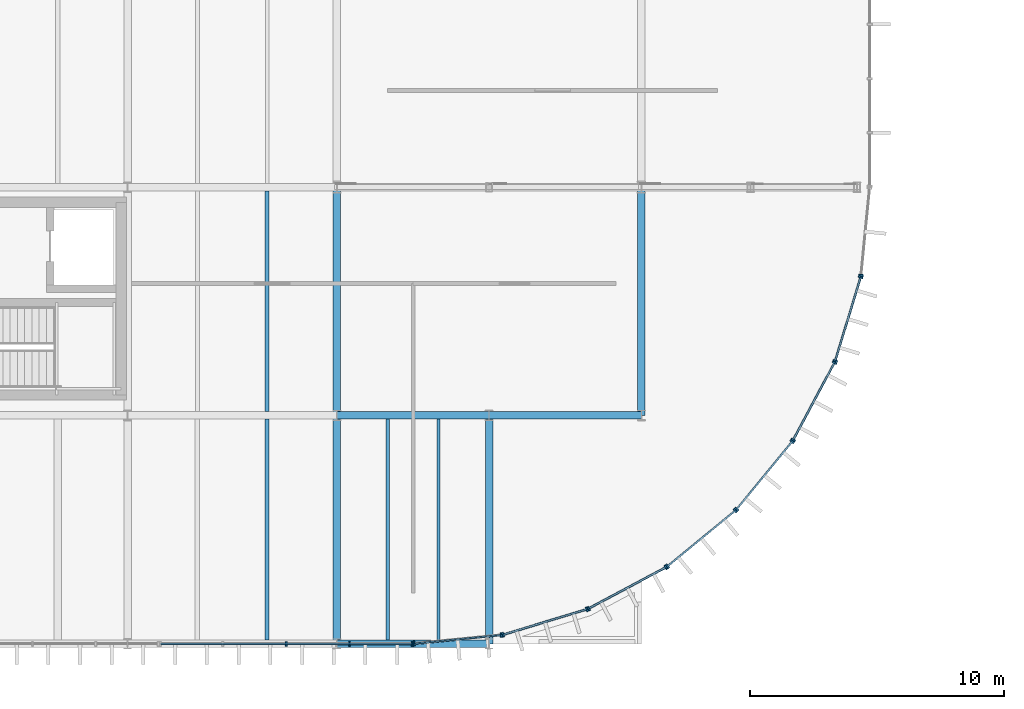
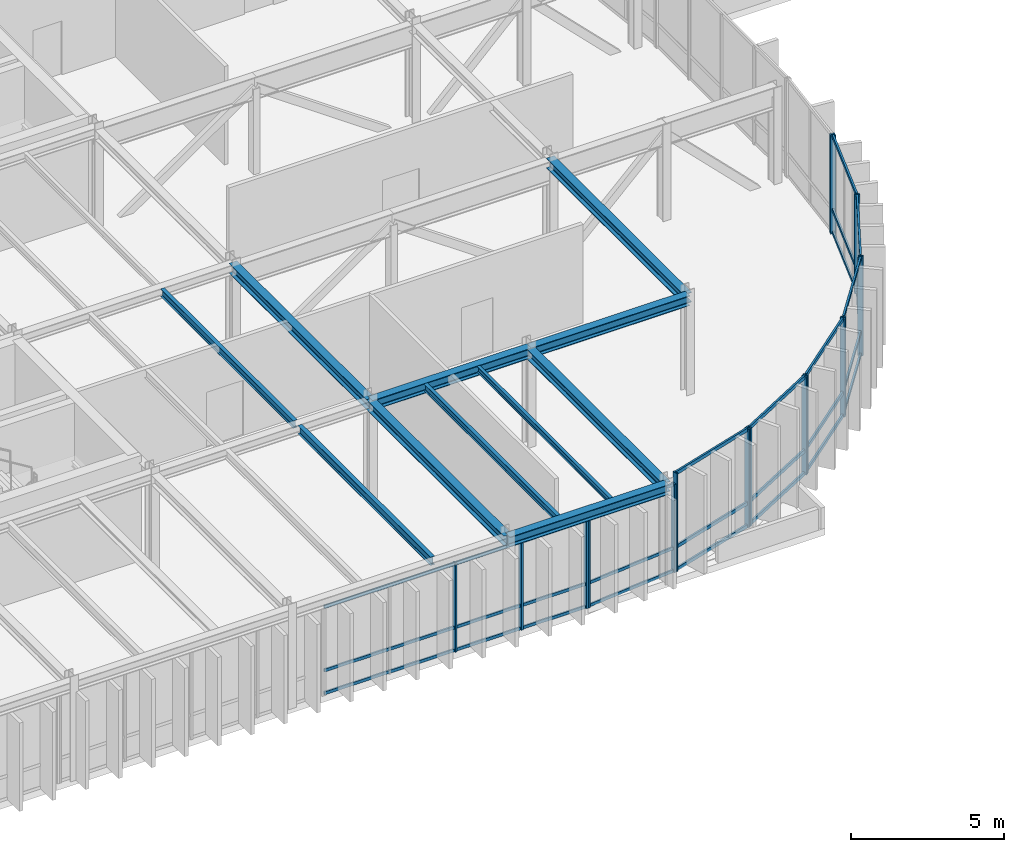
# One storey, part 16 of 69: 42 members, 11 beams, 9 elements without a shape of their own.
"""IFC4 building model written with IfcOpenShell, lengths in metres."""

import ifcopenshell
import ifcopenshell.guid

model = None  # the IFC model being written
_history = None  # IfcOwnerHistory: only IFC2X3 demands one
_inside = {}  # id of a spatial element -> (the spatial element, [elements in it])
_under = {}  # id of a project, library or spatial element -> (it, [spatial elements below it])
_declared = {}  # id of a project -> (the project, [libraries it declares])
_typed = {}  # id of a type object -> (the type object, [elements of that type])
_made_of = {}  # id of a material, layer set ... -> (it, [elements and type objects made of it])


def new_model(schema):
    """Start an empty IFC model of exactly this schema.

    Asked for "IFC4X3", IfcOpenShell would pick the latest addendum, in which some entities
    have other attributes; the version numbers below select the first issue.
    IFC2X3 requires an IfcOwnerHistory on every rooted entity: one is made here for all.
    """
    global model, _history
    if schema == "IFC4X3":
        model = ifcopenshell.file(schema_version=(4, 3, 0, 0))
    else:
        model = ifcopenshell.file(schema=schema)
    _inside.clear()
    _under.clear()
    _declared.clear()
    _typed.clear()
    _made_of.clear()
    _history = None
    if model.schema == "IFC2X3":
        org = make("IfcOrganization", Name="unknown")
        user = make(
            "IfcPersonAndOrganization",
            ThePerson=make("IfcPerson", FamilyName="unknown"),
            TheOrganization=org,
        )
        app = make(
            "IfcApplication",
            ApplicationDeveloper=org,
            Version="unknown",
            ApplicationFullName="unknown",
            ApplicationIdentifier="unknown",
        )
        _history = make(
            "IfcOwnerHistory",
            OwningUser=user,
            OwningApplication=app,
            ChangeAction="ADDED",
            CreationDate=0,
        )
    return model


def make(cls, **values):
    """One entity of the class cls with the attributes given. An attribute that is None is left unset."""
    return model.create_entity(
        cls, **{name: value for name, value in values.items() if value is not None}
    )


def rooted(cls, **values):
    """An entity with a GlobalId (a new one), such as an element, a storey or a relation."""
    return make(cls, GlobalId=ifcopenshell.guid.new(), OwnerHistory=_history, **values)


def si_unit(unit_type, name, prefix=None):
    """IfcSIUnit, for example si_unit("LENGTHUNIT", "METRE", prefix="MILLI")."""
    return make("IfcSIUnit", UnitType=unit_type, Prefix=prefix, Name=name)


def assignment(units):
    """IfcUnitAssignment: the units of a project."""
    return None if units is None else make("IfcUnitAssignment", Units=units)


def point(xyz):
    """IfcCartesianPoint."""
    return None if xyz is None else make("IfcCartesianPoint", Coordinates=xyz)


def direction(xyz):
    """IfcDirection."""
    return None if xyz is None else make("IfcDirection", DirectionRatios=xyz)


def frame(location, z_axis=None, x_axis=None):
    """IfcAxis2Placement3D, a coordinate frame: its origin and axes. An axis left out is left unset."""
    return make(
        "IfcAxis2Placement3D",
        Location=point(location),
        Axis=direction(z_axis),
        RefDirection=direction(x_axis),
    )


def frame_2d(location, x_axis=None):
    """IfcAxis2Placement2D, a coordinate frame in the plane: its origin and x axis."""
    return make(
        "IfcAxis2Placement2D", Location=point(location), RefDirection=direction(x_axis)
    )


def origin():
    """The frame at (0, 0, 0) with its axes left unset."""
    return frame((0.0, 0.0, 0.0))


def origin_2d():
    """The frame at (0, 0) in the plane with its x axis left unset."""
    return frame_2d((0.0, 0.0))


def place(relative_to, where):
    """IfcLocalPlacement: puts the frame where relative to a parent placement (None: the world)."""
    return make(
        "IfcLocalPlacement", PlacementRelTo=relative_to, RelativePlacement=where
    )


def context(
    kind, dimensions, precision=None, world=None, true_north=None, identifier=None
):
    """IfcGeometricRepresentationContext, for example the 3D "Model" context."""
    return make(
        "IfcGeometricRepresentationContext",
        ContextIdentifier=identifier,
        ContextType=kind,
        CoordinateSpaceDimension=dimensions,
        Precision=precision,
        WorldCoordinateSystem=world,
        TrueNorth=true_north,
    )


def subcontext(parent, identifier, kind, view, scale=None):
    """IfcGeometricRepresentationSubContext, for example "Body" below "Model"."""
    return make(
        "IfcGeometricRepresentationSubContext",
        ContextIdentifier=identifier,
        ContextType=kind,
        ParentContext=parent,
        TargetScale=scale,
        TargetView=view,
    )


def project(units=None, contexts=None):
    """IfcProject with its units and contexts."""
    return rooted(
        "IfcProject",
        Name="project",
        RepresentationContexts=contexts,
        UnitsInContext=assignment(units),
    )


def spatial(cls, under=None, at=None, **own):
    """A site, building, storey or space (cls), placed at a placement, below another one or the project."""
    s = rooted(cls, ObjectPlacement=at, **own)
    if under is not None:
        _under.setdefault(under.id(), (under, []))[1].append(s)
    return s


def profile(cls, at=None, kind="AREA", **sizes):
    """A parametric profile (cls). Its sizes go by their IFC names, for example OverallWidth=200.0."""
    return make(cls, ProfileType=kind, Position=at, **sizes)


def rectangle(**sizes):
    """IfcRectangleProfileDef."""
    return profile("IfcRectangleProfileDef", **sizes)


def i_section(**sizes):
    """IfcIShapeProfileDef."""
    return profile("IfcIShapeProfileDef", **sizes)


def extrude(swept, where, along, depth):
    """IfcExtrudedAreaSolid: the profile swept, set in the frame where, extruded along a direction by depth."""
    return make(
        "IfcExtrudedAreaSolid",
        SweptArea=swept,
        Position=where,
        ExtrudedDirection=direction(along),
        Depth=depth,
    )


def shape(context_of_items, identifier, shape_type, items):
    """IfcShapeRepresentation: the items that make up one representation, for example the "Body"."""
    return make(
        "IfcShapeRepresentation",
        ContextOfItems=context_of_items,
        RepresentationIdentifier=identifier,
        RepresentationType=shape_type,
        Items=items,
    )


def material(Name=None, Category=None):
    """IfcMaterial."""
    return make("IfcMaterial", Name=Name, Category=Category)


def layer(
    of_material, thickness, ventilated=None, Name=None, Category=None, Priority=None
):
    """IfcMaterialLayer: one layer of a wall or slab, of a material (None: an air gap)."""
    return make(
        "IfcMaterialLayer",
        Material=of_material,
        LayerThickness=thickness,
        IsVentilated=ventilated,
        Name=Name,
        Category=Category,
        Priority=Priority,
    )


def layer_set(layers, Name=None):
    """IfcMaterialLayerSet."""
    return make("IfcMaterialLayerSet", MaterialLayers=layers, LayerSetName=Name)


def material_profile(
    of_material, cross_section, Name=None, Category=None, Priority=None
):
    """IfcMaterialProfile: a cross section and its material."""
    return make(
        "IfcMaterialProfile",
        Name=Name,
        Material=of_material,
        Profile=cross_section,
        Priority=Priority,
        Category=Category,
    )


def profile_set(profiles, Name=None, composite=None):
    """IfcMaterialProfileSet."""
    return make(
        "IfcMaterialProfileSet",
        Name=Name,
        MaterialProfiles=profiles,
        CompositeProfile=composite,
    )


def made_of(thing, what):
    """Note that an element or type object is made of a material, layer set ...; save() writes the relation."""
    if what is not None:
        _made_of.setdefault(what.id(), (what, []))[1].append(thing)
    return thing


def type_object(cls, material=None, **own):
    """A type object (cls), such as IfcWallType, which elements share."""
    return made_of(rooted(cls, **own), material)


def element(
    cls,
    number,
    at=None,
    inside=None,
    cuts=None,
    type_object=None,
    material=None,
    context=None,
    identifier="Body",
    shape_type=None,
    held_by="IfcProductDefinitionShape",
    body=None,
    shapes=None,
    **own,
):
    """One element of the class cls, such as IfcWall. Its Tag is "e" and its number.

    at: its placement. inside: the storey or other place that contains it. cuts: it is an
    opening in that element (IfcRelVoidsElement). A single representation is given by context,
    identifier, shape_type and body (its items); several are given by shapes. held_by: the class
    of the entity that holds the representations. save() writes the other relations.
    """
    e = rooted(cls, Tag="e%d" % number, ObjectPlacement=at, **own)
    if body is not None:
        shapes = [shape(context, identifier, shape_type, body)]
    if shapes is not None:
        e.Representation = make(held_by, Representations=shapes)
    if inside is not None:
        _inside.setdefault(inside.id(), (inside, []))[1].append(e)
    if cuts is not None:
        rooted(
            "IfcRelVoidsElement", RelatingBuildingElement=cuts, RelatedOpeningElement=e
        )
    if type_object is not None:
        _typed.setdefault(type_object.id(), (type_object, []))[1].append(e)
    return made_of(e, material)


def aggregate(whole, parts):
    """IfcRelAggregates: a whole, such as a stair, and the parts it consists of."""
    return rooted("IfcRelAggregates", RelatingObject=whole, RelatedObjects=parts)


def save(model, path):
    """Write the relations noted so far, then the file.

    IfcRelAggregates (storeys below a building ...), IfcRelContainedInSpatialStructure (elements
    in a storey), IfcRelDefinesByType, IfcRelAssociatesMaterial and IfcRelDeclares: one each for
    every whole, place, type object, material and project.
    """
    for whole, parts in _under.values():
        aggregate(whole, parts)
    for where, things in _inside.values():
        rooted(
            "IfcRelContainedInSpatialStructure",
            RelatedElements=things,
            RelatingStructure=where,
        )
    for kind, things in _typed.values():
        rooted("IfcRelDefinesByType", RelatedObjects=things, RelatingType=kind)
    for what, things in _made_of.values():
        rooted("IfcRelAssociatesMaterial", RelatedObjects=things, RelatingMaterial=what)
    for by, libraries in _declared.values():
        rooted("IfcRelDeclares", RelatingContext=by, RelatedDefinitions=libraries)
    model.write(path)


model = new_model("IFC4")

# Units and contexts
model_context = context("Model", 3, precision=1e-05, world=origin(), true_north=direction((0.0, 1.0)))
body_context = subcontext(model_context, "Body", "Model", "MODEL_VIEW")
ifc_project = project(units=[si_unit("LENGTHUNIT", "METRE"), si_unit("AREAUNIT", "SQUARE_METRE"), si_unit("VOLUMEUNIT", "CUBIC_METRE"), si_unit("PLANEANGLEUNIT", "RADIAN"), si_unit("MASSUNIT", "GRAM", prefix="KILO")], contexts=[model_context])

# Site, building, storey
site_placement = place(None, origin())
site = spatial("IfcSite", under=ifc_project, at=site_placement, CompositionType="ELEMENT")
building_placement = place(site_placement, origin())
building = spatial("IfcBuilding", under=site, at=building_placement, Name="Montealbar Specialist Clinic", CompositionType="ELEMENT")
storey_placement = place(building_placement, frame((0.0, 0.0, 9.60009765625)))
storey = spatial("IfcBuildingStorey", under=building, at=storey_placement, Name="L02", CompositionType="ELEMENT", Elevation=9.60009765625)

# Beams
ifc_material_1 = material(Name="Steel S355", Category="steel")
ifc_material_profile_1 = material_profile(ifc_material_1, i_section(OverallWidth=0.300048828125, OverallDepth=0.39990234375, WebThickness=0.013427734375, FlangeThickness=0.02392578125, FilletRadius=0.027099609375, at=origin_2d()), Name="HEB 400", Category="steel")
ifc_profile_set_1 = profile_set([ifc_material_profile_1], Name="Steel S355")
beam_type_1 = type_object("IfcBeamType", Name="BM-GIRD-HEB400", PredefinedType="BEAM", material=ifc_profile_set_1)
for number, where, z_axis, x_axis, name in (
    (1, (99.0, 9.0, 3.72998046875), (1.0, 0.0, 0.0), (0.0, 1.0, 0.0), "Beam GX-L02-990-1050-90"),
    (2, (105.0, 9.0, 3.72998046875), (1.0, 0.0, 0.0), (0.0, 1.0, 0.0), "Beam GX-L02-1050-1110-90"),
):
    element("IfcBeam", number, at=place(storey_placement, frame(where, z_axis=z_axis, x_axis=x_axis)), inside=storey, type_object=beam_type_1, Name=name, PredefinedType="BEAM", context=body_context, shape_type="SweptSolid", body=[
        extrude(i_section(OverallWidth=0.300048828125, OverallDepth=0.39990234375, WebThickness=0.013427734375, FlangeThickness=0.02392578125, FilletRadius=0.027099609375, at=origin_2d()), origin(), (0.0, 0.0, 1.0), 6.0),
    ])
for number, where, z_axis, x_axis, name in (
    (3, (99.0, 0.0, 3.72998046875), (0.0, 1.0, 0.0), (-1.0, 0.0, 0.0), "Beam GY-L02-990-0-90"),
    (4, (99.0, 9.0, 3.72998046875), (0.0, 1.0, 0.0), (-1.0, 0.0, 0.0), "Beam GY-L02-990-90-180"),
    (5, (105.0, 0.0, 3.72998046875), (0.0, 1.0, 0.0), (-1.0, 0.0, 0.0), "Beam GY-L02-1050-0-90"),
    (6, (111.0, 9.0, 3.72998046875), (0.0, 1.0, 0.0), (-1.0, 0.0, 0.0), "Beam GY-L02-1110-90-180"),
):
    element("IfcBeam", number, at=place(storey_placement, frame(where, z_axis=z_axis, x_axis=x_axis)), inside=storey, type_object=beam_type_1, Name=name, PredefinedType="BEAM", context=body_context, shape_type="SweptSolid", body=[
        extrude(i_section(OverallWidth=0.300048828125, OverallDepth=0.39990234375, WebThickness=0.013427734375, FlangeThickness=0.02392578125, FilletRadius=0.027099609375, at=origin_2d()), origin(), (0.0, 0.0, 1.0), 9.0),
    ])
ifc_material_profile_2 = material_profile(ifc_material_1, i_section(OverallWidth=0.300048828125, OverallDepth=0.39990234375, WebThickness=0.013427734375, FlangeThickness=0.02392578125, FilletRadius=0.027099609375, at=origin_2d()), Name="HEB 400", Category="steel")
ifc_profile_set_2 = profile_set([ifc_material_profile_2], Name="Steel S355")
beam_type_2 = type_object("IfcBeamType", Name="BM-GIRD-HEB400-EXT", PredefinedType="BEAM", material=ifc_profile_set_2)
beam_1_placement = place(storey_placement, frame((99.0, 0.0, 3.72998046875), z_axis=(1.0, 0.0, 0.0), x_axis=(0.0, 1.0, 0.0)))
element("IfcBeam", 7, at=beam_1_placement, inside=storey, type_object=beam_type_2, Name="Beam GX-L02-990-1050-0", PredefinedType="BEAM", context=body_context, shape_type="SweptSolid", body=[
    extrude(i_section(OverallWidth=0.300048828125, OverallDepth=0.39990234375, WebThickness=0.013427734375, FlangeThickness=0.02392578125, FilletRadius=0.027099609375, at=origin_2d()), origin(), (0.0, 0.0, 1.0), 6.0),
])
ifc_material_profile_3 = material_profile(ifc_material_1, i_section(OverallWidth=0.1201171875, OverallDepth=0.239990234375, WebThickness=0.006103515625, FlangeThickness=0.009765625, FilletRadius=0.014892578125, at=origin_2d()), Name="IPE 240", Category="steel")
ifc_profile_set_3 = profile_set([ifc_material_profile_3], Name="Steel S355")
beam_type_3 = type_object("IfcBeamType", Name="BM-JST-IPE240", PredefinedType="JOIST", material=ifc_profile_set_3)
beam_2_placement = place(storey_placement, frame((103.0, 0.14990234375, 3.809814453125), z_axis=(0.0, 1.0, 0.0), x_axis=(-1.0, 0.0, 0.0)))
element("IfcBeam", 8, at=beam_2_placement, inside=storey, type_object=beam_type_3, Name="Beam JST-L02-1030-2-88", PredefinedType="JOIST", context=body_context, shape_type="SweptSolid", body=[
    extrude(i_section(OverallWidth=0.1201171875, OverallDepth=0.239990234375, WebThickness=0.006103515625, FlangeThickness=0.009765625, FilletRadius=0.014892578125, at=origin_2d()), origin(), (0.0, 0.0, 1.0), 8.7001953125),
])
ifc_material_profile_4 = material_profile(ifc_material_1, i_section(OverallWidth=0.135009765625, OverallDepth=0.27001953125, WebThickness=0.006591796875, FlangeThickness=0.01025390625, FilletRadius=0.014892578125, at=origin_2d()), Name="IPE 270", Category="steel")
ifc_profile_set_4 = profile_set([ifc_material_profile_4], Name="Steel S355")
beam_type_4 = type_object("IfcBeamType", Name="BM-JST-IPE270", PredefinedType="JOIST", material=ifc_profile_set_4)
beam_3_placement = place(storey_placement, frame((101.0, 0.14990234375, 3.794921875), z_axis=(0.0, 1.0, 0.0), x_axis=(-1.0, 0.0, 0.0)))
element("IfcBeam", 9, at=beam_3_placement, inside=storey, type_object=beam_type_4, Name="Beam JST-L02-1010-2-88", PredefinedType="JOIST", context=body_context, shape_type="SweptSolid", body=[
    extrude(i_section(OverallWidth=0.135009765625, OverallDepth=0.27001953125, WebThickness=0.006591796875, FlangeThickness=0.01025390625, FilletRadius=0.014892578125, at=origin_2d()), origin(), (0.0, 0.0, 1.0), 8.7001953125),
])
ifc_material_profile_5 = material_profile(ifc_material_1, i_section(OverallWidth=0.14990234375, OverallDepth=0.300048828125, WebThickness=0.007080078125, FlangeThickness=0.0107421875, FilletRadius=0.014892578125, at=origin_2d()), Name="IPE 300", Category="steel")
ifc_profile_set_5 = profile_set([ifc_material_profile_5], Name="Steel S355")
beam_type_5 = type_object("IfcBeamType", Name="BM-JST-IPE300", PredefinedType="JOIST", material=ifc_profile_set_5)
beam_4_placement = place(storey_placement, frame((96.25, 9.14990234375, 3.77978515625), z_axis=(0.0, 1.0, 0.0), x_axis=(-1.0, 0.0, 0.0)))
element("IfcBeam", 10, at=beam_4_placement, inside=storey, type_object=beam_type_5, Name="Beam JST-L02-962-92-178", PredefinedType="JOIST", context=body_context, shape_type="SweptSolid", body=[
    extrude(i_section(OverallWidth=0.14990234375, OverallDepth=0.300048828125, WebThickness=0.007080078125, FlangeThickness=0.0107421875, FilletRadius=0.014892578125, at=origin_2d()), origin(), (0.0, 0.0, 1.0), 8.7001953125),
])
ifc_material_profile_6 = material_profile(ifc_material_1, i_section(OverallWidth=0.159912109375, OverallDepth=0.330078125, WebThickness=0.007568359375, FlangeThickness=0.011474609375, FilletRadius=0.01806640625, at=origin_2d()), Name="IPE 330", Category="steel")
ifc_profile_set_6 = profile_set([ifc_material_profile_6], Name="Steel S355")
beam_type_6 = type_object("IfcBeamType", Name="BM-JST-IPE330", PredefinedType="JOIST", material=ifc_profile_set_6)
beam_5_placement = place(storey_placement, frame((96.25, 0.14990234375, 3.764892578125), z_axis=(0.0, 1.0, 0.0), x_axis=(-1.0, 0.0, 0.0)))
element("IfcBeam", 11, at=beam_5_placement, inside=storey, type_object=beam_type_6, Name="Beam JST-L02-962-2-88", PredefinedType="JOIST", context=body_context, shape_type="SweptSolid", body=[
    extrude(i_section(OverallWidth=0.159912109375, OverallDepth=0.330078125, WebThickness=0.007568359375, FlangeThickness=0.011474609375, FilletRadius=0.01806640625, at=origin_2d()), origin(), (0.0, 0.0, 1.0), 8.7001953125),
])

# Curtain wall, member
ifc_material_2 = material(Name="Low-E double glazing", Category="glass")
ifc_layer_1 = layer(ifc_material_2, 0.199951171875, Name="Low-E double glazing", Category="glass")
ifc_layer_set_1 = layer_set([ifc_layer_1], Name="Low-E double glazing")
curtain_wall_type_1 = type_object("IfcCurtainWallType", Name="CW-TYPE-12", PredefinedType="NOTDEFINED", material=ifc_layer_set_1)
curtain_wall_1_placement = place(storey_placement, origin())
curtain_wall_1 = element("IfcCurtainWall", 12, at=curtain_wall_1_placement, inside=storey, type_object=curtain_wall_type_1, Name="Unitised Curtain Wall CW-L02-1200-180-1197-145-96", PredefinedType="NOTDEFINED")
ifc_material_3 = material(Name="Anodised aluminium EN AW-6063", Category="aluminium")
ifc_material_profile_7 = material_profile(ifc_material_3, rectangle(XDim=0.070068359375, YDim=0.179931640625, at=origin_2d()), Name="ALU 70x180", Category="aluminium")
ifc_profile_set_7 = profile_set([ifc_material_profile_7], Name="Anodised aluminium EN AW-6063")
member_type_1 = type_object("IfcMemberType", Name="CW-MUL-200", PredefinedType="MULLION", material=ifc_profile_set_7)
member_1_placement = place(storey_placement, frame((119.657958984375, 14.528076171875, 0.0), z_axis=(0.0, 0.0, 1.0), x_axis=(-0.098044697094, -0.995182012183, 0.0)))
member_1 = element("IfcMember", 13, at=member_1_placement, type_object=member_type_1, Name="Curtain Wall Mullion CW-L02-1200-180-1197-145-96-01", PredefinedType="MULLION", context=body_context, shape_type="SweptSolid", body=[
    extrude(rectangle(XDim=0.070068359375, YDim=0.179931640625, at=origin_2d()), origin(), (0.0, 0.0, 1.0), 3.929931640625),
])
aggregate(curtain_wall_1, [member_1])

# Curtain wall, members
curtain_wall_2_placement = place(storey_placement, origin())
curtain_wall_2 = element("IfcCurtainWall", 14, at=curtain_wall_2_placement, inside=storey, type_object=curtain_wall_type_1, Name="Unitised Curtain Wall CW-L02-1197-145-1186-111-96", PredefinedType="NOTDEFINED")
member_2_placement = place(storey_placement, frame((119.64208984375, 14.449951171875, 0.0), z_axis=(0.0, 0.0, 1.0), x_axis=(-0.290259134399, -0.956948083701, 0.0)))
member_2 = element("IfcMember", 15, at=member_2_placement, type_object=member_type_1, Name="Curtain Wall Mullion CW-L02-1197-145-1186-111-96-00", PredefinedType="MULLION", context=body_context, shape_type="SweptSolid", body=[
    extrude(rectangle(XDim=0.070068359375, YDim=0.179931640625, at=origin_2d()), origin(), (0.0, 0.0, 1.0), 3.929931640625),
])
member_3_placement = place(storey_placement, frame((118.64208984375, 11.14990234375, 0.0), z_axis=(0.0, 0.0, 1.0), x_axis=(-0.290259134399, -0.956948083701, 0.0)))
member_3 = element("IfcMember", 16, at=member_3_placement, type_object=member_type_1, Name="Curtain Wall Mullion CW-L02-1197-145-1186-111-96-01", PredefinedType="MULLION", context=body_context, shape_type="SweptSolid", body=[
    extrude(rectangle(XDim=0.070068359375, YDim=0.179931640625, at=origin_2d()), origin(), (0.0, 0.0, 1.0), 3.929931640625),
])

curtain_wall_3_placement = place(storey_placement, origin())
curtain_wall_3 = element("IfcCurtainWall", 17, at=curtain_wall_3_placement, inside=storey, type_object=curtain_wall_type_1, Name="Unitised Curtain Wall CW-L02-1186-111-1170-80-96", PredefinedType="NOTDEFINED")
member_4_placement = place(storey_placement, frame((118.611083984375, 11.076904296875, 0.0), z_axis=(0.0, 0.0, 1.0), x_axis=(-0.471529268958, -0.881850411644, 0.0)))
member_4 = element("IfcMember", 18, at=member_4_placement, type_object=member_type_1, Name="Curtain Wall Mullion CW-L02-1186-111-1170-80-96-00", PredefinedType="MULLION", context=body_context, shape_type="SweptSolid", body=[
    extrude(rectangle(XDim=0.070068359375, YDim=0.179931640625, at=origin_2d()), origin(), (0.0, 0.0, 1.0), 3.929931640625),
])
member_5_placement = place(storey_placement, frame((116.985107421875, 8.034912109375, 0.0), z_axis=(0.0, 0.0, 1.0), x_axis=(-0.471529268958, -0.881850411644, 0.0)))
member_5 = element("IfcMember", 19, at=member_5_placement, type_object=member_type_1, Name="Curtain Wall Mullion CW-L02-1186-111-1170-80-96-01", PredefinedType="MULLION", context=body_context, shape_type="SweptSolid", body=[
    extrude(rectangle(XDim=0.070068359375, YDim=0.179931640625, at=origin_2d()), origin(), (0.0, 0.0, 1.0), 3.929931640625),
])

curtain_wall_4_placement = place(storey_placement, origin())
curtain_wall_4 = element("IfcCurtainWall", 20, at=curtain_wall_4_placement, inside=storey, type_object=curtain_wall_type_1, Name="Unitised Curtain Wall CW-L02-1170-80-1147-53-96", PredefinedType="NOTDEFINED")
member_6_placement = place(storey_placement, frame((116.94091796875, 7.968994140625, 0.0), z_axis=(0.0, 0.0, 1.0), x_axis=(-0.634255808922, -0.773123255923, 0.0)))
member_6 = element("IfcMember", 21, at=member_6_placement, type_object=member_type_1, Name="Curtain Wall Mullion CW-L02-1170-80-1147-53-96-00", PredefinedType="MULLION", context=body_context, shape_type="SweptSolid", body=[
    extrude(rectangle(XDim=0.070068359375, YDim=0.179931640625, at=origin_2d()), origin(), (0.0, 0.0, 1.0), 3.929931640625),
])
member_7_placement = place(storey_placement, frame((114.7529296875, 5.302978515625, 0.0), z_axis=(0.0, 0.0, 1.0), x_axis=(-0.634255808922, -0.773123255923, 0.0)))
member_7 = element("IfcMember", 22, at=member_7_placement, type_object=member_type_1, Name="Curtain Wall Mullion CW-L02-1170-80-1147-53-96-01", PredefinedType="MULLION", context=body_context, shape_type="SweptSolid", body=[
    extrude(rectangle(XDim=0.070068359375, YDim=0.179931640625, at=origin_2d()), origin(), (0.0, 0.0, 1.0), 3.929931640625),
])

curtain_wall_5_placement = place(storey_placement, origin())
curtain_wall_5 = element("IfcCurtainWall", 23, at=curtain_wall_5_placement, inside=storey, type_object=curtain_wall_type_1, Name="Unitised Curtain Wall CW-L02-1147-53-1120-30-96", PredefinedType="NOTDEFINED")
member_8_placement = place(storey_placement, frame((114.697021484375, 5.2470703125, 0.0), z_axis=(0.0, 0.0, 1.0), x_axis=(-0.773123255923, -0.634255808922, 0.0)))
member_8 = element("IfcMember", 24, at=member_8_placement, type_object=member_type_1, Name="Curtain Wall Mullion CW-L02-1147-53-1120-30-96-00", PredefinedType="MULLION", context=body_context, shape_type="SweptSolid", body=[
    extrude(rectangle(XDim=0.070068359375, YDim=0.179931640625, at=origin_2d()), origin(), (0.0, 0.0, 1.0), 3.929931640625),
])
member_9_placement = place(storey_placement, frame((112.031005859375, 3.05908203125, 0.0), z_axis=(0.0, 0.0, 1.0), x_axis=(-0.773123255923, -0.634255808922, 0.0)))
member_9 = element("IfcMember", 25, at=member_9_placement, type_object=member_type_1, Name="Curtain Wall Mullion CW-L02-1147-53-1120-30-96-01", PredefinedType="MULLION", context=body_context, shape_type="SweptSolid", body=[
    extrude(rectangle(XDim=0.070068359375, YDim=0.179931640625, at=origin_2d()), origin(), (0.0, 0.0, 1.0), 3.929931640625),
])

curtain_wall_6_placement = place(storey_placement, origin())
curtain_wall_6 = element("IfcCurtainWall", 26, at=curtain_wall_6_placement, inside=storey, type_object=curtain_wall_type_1, Name="Unitised Curtain Wall CW-L02-1120-30-1089-14-96", PredefinedType="NOTDEFINED")
member_10_placement = place(storey_placement, frame((111.965087890625, 3.014892578125, 0.0), z_axis=(0.0, 0.0, 1.0), x_axis=(-0.881850411644, -0.471529268958, 0.0)))
member_10 = element("IfcMember", 27, at=member_10_placement, type_object=member_type_1, Name="Curtain Wall Mullion CW-L02-1120-30-1089-14-96-00", PredefinedType="MULLION", context=body_context, shape_type="SweptSolid", body=[
    extrude(rectangle(XDim=0.070068359375, YDim=0.179931640625, at=origin_2d()), origin(), (0.0, 0.0, 1.0), 3.929931640625),
])
member_11_placement = place(storey_placement, frame((108.923095703125, 1.388916015625, 0.0), z_axis=(0.0, 0.0, 1.0), x_axis=(-0.881850411644, -0.471529268958, 0.0)))
member_11 = element("IfcMember", 28, at=member_11_placement, type_object=member_type_1, Name="Curtain Wall Mullion CW-L02-1120-30-1089-14-96-01", PredefinedType="MULLION", context=body_context, shape_type="SweptSolid", body=[
    extrude(rectangle(XDim=0.070068359375, YDim=0.179931640625, at=origin_2d()), origin(), (0.0, 0.0, 1.0), 3.929931640625),
])

curtain_wall_7_placement = place(storey_placement, origin())
curtain_wall_7 = element("IfcCurtainWall", 29, at=curtain_wall_7_placement, inside=storey, type_object=curtain_wall_type_1, Name="Unitised Curtain Wall CW-L02-1089-14-1055-3-96", PredefinedType="NOTDEFINED")
member_12_placement = place(storey_placement, frame((108.85009765625, 1.35791015625, 0.0), z_axis=(0.0, 0.0, 1.0), x_axis=(-0.956948083701, -0.290259134399, 0.0)))
member_12 = element("IfcMember", 30, at=member_12_placement, type_object=member_type_1, Name="Curtain Wall Mullion CW-L02-1089-14-1055-3-96-00", PredefinedType="MULLION", context=body_context, shape_type="SweptSolid", body=[
    extrude(rectangle(XDim=0.070068359375, YDim=0.179931640625, at=origin_2d()), origin(), (0.0, 0.0, 1.0), 3.929931640625),
])
member_13_placement = place(storey_placement, frame((105.550048828125, 0.35791015625, 0.0), z_axis=(0.0, 0.0, 1.0), x_axis=(-0.956948083701, -0.290259134399, 0.0)))
member_13 = element("IfcMember", 31, at=member_13_placement, type_object=member_type_1, Name="Curtain Wall Mullion CW-L02-1089-14-1055-3-96-01", PredefinedType="MULLION", context=body_context, shape_type="SweptSolid", body=[
    extrude(rectangle(XDim=0.070068359375, YDim=0.179931640625, at=origin_2d()), origin(), (0.0, 0.0, 1.0), 3.929931640625),
])

ifc_layer_2 = layer(ifc_material_2, 0.199951171875, Name="Low-E double glazing", Category="glass")
ifc_layer_set_2 = layer_set([ifc_layer_2], Name="Low-E double glazing")
curtain_wall_type_2 = type_object("IfcCurtainWallType", Name="CW-TYPE-15", PredefinedType="NOTDEFINED", material=ifc_layer_set_2)
curtain_wall_8_placement = place(storey_placement, origin())
curtain_wall_8 = element("IfcCurtainWall", 32, at=curtain_wall_8_placement, inside=storey, type_object=curtain_wall_type_2, Name="Unitised Curtain Wall CW-L02-1055-3-1020-0-96", PredefinedType="NOTDEFINED")
member_14_placement = place(storey_placement, frame((105.471923828125, 0.342041015625, 0.0), z_axis=(0.0, 0.0, 1.0), x_axis=(-0.995182012183, -0.098044697094, 0.0)))
member_14 = element("IfcMember", 33, at=member_14_placement, type_object=member_type_1, Name="Curtain Wall Mullion CW-L02-1055-3-1020-0-96-00", PredefinedType="MULLION", context=body_context, shape_type="SweptSolid", body=[
    extrude(rectangle(XDim=0.070068359375, YDim=0.179931640625, at=origin_2d()), origin(), (0.0, 0.0, 1.0), 3.52978515625),
])
member_15_placement = place(storey_placement, frame((102.0400390625, 0.00390625, 0.0), z_axis=(0.0, 0.0, 1.0), x_axis=(-0.995182012183, -0.098044697094, 0.0)))
member_15 = element("IfcMember", 34, at=member_15_placement, type_object=member_type_1, Name="Curtain Wall Mullion CW-L02-1055-3-1020-0-96-01", PredefinedType="MULLION", context=body_context, shape_type="SweptSolid", body=[
    extrude(rectangle(XDim=0.070068359375, YDim=0.179931640625, at=origin_2d()), origin(), (0.0, 0.0, 1.0), 3.52978515625),
])

ifc_layer_3 = layer(ifc_material_2, 0.199951171875, Name="Low-E double glazing", Category="glass")
ifc_layer_set_3 = layer_set([ifc_layer_3], Name="Low-E double glazing")
curtain_wall_type_3 = type_object("IfcCurtainWallType", Name="CW-TYPE-16", PredefinedType="NOTDEFINED", material=ifc_layer_set_3)
curtain_wall_9_placement = place(storey_placement, origin())
curtain_wall_9 = element("IfcCurtainWall", 35, at=curtain_wall_9_placement, inside=storey, type_object=curtain_wall_type_3, Name="Unitised Curtain Wall CW-L02-1020-0-920-0-96", PredefinedType="NOTDEFINED")
member_16_placement = place(storey_placement, frame((101.9599609375, 0.0, 0.0), z_axis=(0.0, 0.0, 1.0), x_axis=(-1.0, 0.0, 0.0)))
member_16 = element("IfcMember", 36, at=member_16_placement, type_object=member_type_1, Name="Curtain Wall Mullion CW-L02-1020-0-920-0-96-00", PredefinedType="MULLION", context=body_context, shape_type="SweptSolid", body=[
    extrude(rectangle(XDim=0.070068359375, YDim=0.179931640625, at=origin_2d()), origin(), (0.0, 0.0, 1.0), 3.52978515625),
])
member_17_placement = place(storey_placement, frame((99.5, 0.0, 0.0), z_axis=(0.0, 0.0, 1.0), x_axis=(-1.0, 0.0, 0.0)))
member_17 = element("IfcMember", 37, at=member_17_placement, type_object=member_type_1, Name="Curtain Wall Mullion CW-L02-1020-0-920-0-96-01", PredefinedType="MULLION", context=body_context, shape_type="SweptSolid", body=[
    extrude(rectangle(XDim=0.070068359375, YDim=0.179931640625, at=origin_2d()), origin(), (0.0, 0.0, 1.0), 3.52978515625),
])
member_18_placement = place(storey_placement, frame((97.0, 0.0, 0.0), z_axis=(0.0, 0.0, 1.0), x_axis=(-1.0, 0.0, 0.0)))
member_18 = element("IfcMember", 38, at=member_18_placement, type_object=member_type_1, Name="Curtain Wall Mullion CW-L02-1020-0-920-0-96-02", PredefinedType="MULLION", context=body_context, shape_type="SweptSolid", body=[
    extrude(rectangle(XDim=0.070068359375, YDim=0.179931640625, at=origin_2d()), origin(), (0.0, 0.0, 1.0), 3.52978515625),
])

# Member
ifc_material_4 = material(Name="Powder-coated aluminium", Category="aluminium")
ifc_material_profile_8 = material_profile(ifc_material_4, rectangle(XDim=0.06005859375, YDim=0.1201171875, at=origin_2d()), Name="ALU 60x120", Category="aluminium")
ifc_profile_set_8 = profile_set([ifc_material_profile_8], Name="Powder-coated aluminium")
member_type_2 = type_object("IfcMemberType", Name="CW-TRN-120", PredefinedType="USERDEFINED", material=ifc_profile_set_8)
member_19_placement = place(storey_placement, frame((105.4619140625, 0.341064453125, 0.039794921875), z_axis=(-0.995180678623, -0.098058232162, 0.0), x_axis=(0.098058232162, -0.995180678623, 0.0)))
member_19 = element("IfcMember", 39, at=member_19_placement, type_object=member_type_2, Name="Curtain Wall Transom CW-L02-1055-3-1020-0-96-00", ObjectType="TRANSOM", PredefinedType="USERDEFINED", context=body_context, shape_type="SweptSolid", body=[
    extrude(rectangle(XDim=0.06005859375, YDim=0.1201171875, at=origin_2d()), origin(), (0.0, 0.0, 1.0), 3.428466796875),
])

member_20_placement = place(storey_placement, frame((105.4619140625, 0.341064453125, 0.949951171875), z_axis=(-0.995180678623, -0.098058232162, 0.0), x_axis=(0.098058232162, -0.995180678623, 0.0)))
member_20 = element("IfcMember", 40, at=member_20_placement, type_object=member_type_2, Name="Curtain Wall Transom CW-L02-1055-3-1020-0-96-01", ObjectType="TRANSOM", PredefinedType="USERDEFINED", context=body_context, shape_type="SweptSolid", body=[
    extrude(rectangle(XDim=0.06005859375, YDim=0.1201171875, at=origin_2d()), origin(), (0.0, 0.0, 1.0), 3.428466796875),
])

member_21_placement = place(storey_placement, frame((105.4619140625, 0.341064453125, 3.489990234375), z_axis=(-0.995180678623, -0.098058232162, 0.0), x_axis=(0.098058232162, -0.995180678623, 0.0)))
member_21 = element("IfcMember", 41, at=member_21_placement, type_object=member_type_2, Name="Curtain Wall Transom CW-L02-1055-3-1020-0-96-02", ObjectType="TRANSOM", PredefinedType="USERDEFINED", context=body_context, shape_type="SweptSolid", body=[
    extrude(rectangle(XDim=0.06005859375, YDim=0.1201171875, at=origin_2d()), origin(), (0.0, 0.0, 1.0), 3.428466796875),
])

aggregate(curtain_wall_8, [member_14, member_15, member_19, member_20, member_21])

member_22_placement = place(storey_placement, frame((101.949951171875, 0.0, 0.039794921875), z_axis=(-1.0, 0.0, 0.0), x_axis=(0.0, -1.0, 0.0)))
member_22 = element("IfcMember", 42, at=member_22_placement, type_object=member_type_2, Name="Curtain Wall Transom CW-L02-1020-0-920-0-96-00", ObjectType="TRANSOM", PredefinedType="USERDEFINED", context=body_context, shape_type="SweptSolid", body=[
    extrude(rectangle(XDim=0.06005859375, YDim=0.1201171875, at=origin_2d()), origin(), (0.0, 0.0, 1.0), 9.89990234375),
])

member_23_placement = place(storey_placement, frame((101.949951171875, 0.0, 0.949951171875), z_axis=(-1.0, 0.0, 0.0), x_axis=(0.0, -1.0, 0.0)))
member_23 = element("IfcMember", 43, at=member_23_placement, type_object=member_type_2, Name="Curtain Wall Transom CW-L02-1020-0-920-0-96-01", ObjectType="TRANSOM", PredefinedType="USERDEFINED", context=body_context, shape_type="SweptSolid", body=[
    extrude(rectangle(XDim=0.06005859375, YDim=0.1201171875, at=origin_2d()), origin(), (0.0, 0.0, 1.0), 9.89990234375),
])

member_24_placement = place(storey_placement, frame((101.949951171875, 0.0, 3.489990234375), z_axis=(-1.0, 0.0, 0.0), x_axis=(0.0, -1.0, 0.0)))
member_24 = element("IfcMember", 44, at=member_24_placement, type_object=member_type_2, Name="Curtain Wall Transom CW-L02-1020-0-920-0-96-02", ObjectType="TRANSOM", PredefinedType="USERDEFINED", context=body_context, shape_type="SweptSolid", body=[
    extrude(rectangle(XDim=0.06005859375, YDim=0.1201171875, at=origin_2d()), origin(), (0.0, 0.0, 1.0), 9.89990234375),
])

aggregate(curtain_wall_9, [member_16, member_17, member_18, member_22, member_23, member_24])

ifc_material_profile_9 = material_profile(ifc_material_4, rectangle(XDim=0.070068359375, YDim=0.139892578125, at=origin_2d()), Name="ALU 70x140", Category="aluminium")
ifc_profile_set_9 = profile_set([ifc_material_profile_9], Name="Powder-coated aluminium")
member_type_3 = type_object("IfcMemberType", Name="CW-TRN-140", PredefinedType="USERDEFINED", material=ifc_profile_set_9)
member_25_placement = place(storey_placement, frame((119.638916015625, 14.43994140625, 0.039794921875), z_axis=(-0.289993555849, -0.957028598092, 0.0), x_axis=(0.957028598092, -0.289993555849, 0.0)))
member_25 = element("IfcMember", 45, at=member_25_placement, type_object=member_type_3, Name="Curtain Wall Transom CW-L02-1197-145-1186-111-96-00", ObjectType="TRANSOM", PredefinedType="USERDEFINED", context=body_context, shape_type="SweptSolid", body=[
    extrude(rectangle(XDim=0.070068359375, YDim=0.139892578125, at=origin_2d()), origin(), (0.0, 0.0, 1.0), 3.42724609375),
])

member_26_placement = place(storey_placement, frame((119.638916015625, 14.43994140625, 0.949951171875), z_axis=(-0.289993555849, -0.957028598092, 0.0), x_axis=(0.957028598092, -0.289993555849, 0.0)))
member_26 = element("IfcMember", 46, at=member_26_placement, type_object=member_type_3, Name="Curtain Wall Transom CW-L02-1197-145-1186-111-96-01", ObjectType="TRANSOM", PredefinedType="USERDEFINED", context=body_context, shape_type="SweptSolid", body=[
    extrude(rectangle(XDim=0.070068359375, YDim=0.139892578125, at=origin_2d()), origin(), (0.0, 0.0, 1.0), 3.42724609375),
])

member_27_placement = place(storey_placement, frame((119.638916015625, 14.43994140625, 3.889892578125), z_axis=(-0.289993555849, -0.957028598092, 0.0), x_axis=(0.957028598092, -0.289993555849, 0.0)))
member_27 = element("IfcMember", 47, at=member_27_placement, type_object=member_type_3, Name="Curtain Wall Transom CW-L02-1197-145-1186-111-96-02", ObjectType="TRANSOM", PredefinedType="USERDEFINED", context=body_context, shape_type="SweptSolid", body=[
    extrude(rectangle(XDim=0.070068359375, YDim=0.139892578125, at=origin_2d()), origin(), (0.0, 0.0, 1.0), 3.42724609375),
])

aggregate(curtain_wall_2, [member_2, member_3, member_25, member_26, member_27])

member_28_placement = place(storey_placement, frame((118.60595703125, 11.068115234375, 0.039794921875), z_axis=(-0.471286558069, -0.881980147273, 0.0), x_axis=(0.881980147273, -0.471286558069, 0.0)))
member_28 = element("IfcMember", 48, at=member_28_placement, type_object=member_type_3, Name="Curtain Wall Transom CW-L02-1186-111-1170-80-96-00", ObjectType="TRANSOM", PredefinedType="USERDEFINED", context=body_context, shape_type="SweptSolid", body=[
    extrude(rectangle(XDim=0.070068359375, YDim=0.139892578125, at=origin_2d()), origin(), (0.0, 0.0, 1.0), 3.428955078125),
])

member_29_placement = place(storey_placement, frame((118.60595703125, 11.068115234375, 0.949951171875), z_axis=(-0.471286558069, -0.881980147273, 0.0), x_axis=(0.881980147273, -0.471286558069, 0.0)))
member_29 = element("IfcMember", 49, at=member_29_placement, type_object=member_type_3, Name="Curtain Wall Transom CW-L02-1186-111-1170-80-96-01", ObjectType="TRANSOM", PredefinedType="USERDEFINED", context=body_context, shape_type="SweptSolid", body=[
    extrude(rectangle(XDim=0.070068359375, YDim=0.139892578125, at=origin_2d()), origin(), (0.0, 0.0, 1.0), 3.428955078125),
])

member_30_placement = place(storey_placement, frame((118.60595703125, 11.068115234375, 3.889892578125), z_axis=(-0.471286558069, -0.881980147273, 0.0), x_axis=(0.881980147273, -0.471286558069, 0.0)))
member_30 = element("IfcMember", 50, at=member_30_placement, type_object=member_type_3, Name="Curtain Wall Transom CW-L02-1186-111-1170-80-96-02", ObjectType="TRANSOM", PredefinedType="USERDEFINED", context=body_context, shape_type="SweptSolid", body=[
    extrude(rectangle(XDim=0.070068359375, YDim=0.139892578125, at=origin_2d()), origin(), (0.0, 0.0, 1.0), 3.428955078125),
])

aggregate(curtain_wall_3, [member_4, member_5, member_28, member_29, member_30])

member_31_placement = place(storey_placement, frame((116.93408203125, 7.9609375, 0.039794921875), z_axis=(-0.634280591441, -0.773102924144, 0.0), x_axis=(0.773102924144, -0.634280591441, 0.0)))
member_31 = element("IfcMember", 51, at=member_31_placement, type_object=member_type_3, Name="Curtain Wall Transom CW-L02-1170-80-1147-53-96-00", ObjectType="TRANSOM", PredefinedType="USERDEFINED", context=body_context, shape_type="SweptSolid", body=[
    extrude(rectangle(XDim=0.070068359375, YDim=0.139892578125, at=origin_2d()), origin(), (0.0, 0.0, 1.0), 3.427734375),
])

member_32_placement = place(storey_placement, frame((116.93408203125, 7.9609375, 0.949951171875), z_axis=(-0.634280591441, -0.773102924144, 0.0), x_axis=(0.773102924144, -0.634280591441, 0.0)))
member_32 = element("IfcMember", 52, at=member_32_placement, type_object=member_type_3, Name="Curtain Wall Transom CW-L02-1170-80-1147-53-96-01", ObjectType="TRANSOM", PredefinedType="USERDEFINED", context=body_context, shape_type="SweptSolid", body=[
    extrude(rectangle(XDim=0.070068359375, YDim=0.139892578125, at=origin_2d()), origin(), (0.0, 0.0, 1.0), 3.427734375),
])

member_33_placement = place(storey_placement, frame((116.93408203125, 7.9609375, 3.889892578125), z_axis=(-0.634280591441, -0.773102924144, 0.0), x_axis=(0.773102924144, -0.634280591441, 0.0)))
member_33 = element("IfcMember", 53, at=member_33_placement, type_object=member_type_3, Name="Curtain Wall Transom CW-L02-1170-80-1147-53-96-02", ObjectType="TRANSOM", PredefinedType="USERDEFINED", context=body_context, shape_type="SweptSolid", body=[
    extrude(rectangle(XDim=0.070068359375, YDim=0.139892578125, at=origin_2d()), origin(), (0.0, 0.0, 1.0), 3.427734375),
])

aggregate(curtain_wall_4, [member_6, member_7, member_31, member_32, member_33])

member_34_placement = place(storey_placement, frame((114.68896484375, 5.239990234375, 0.039794921875), z_axis=(-0.773102924144, -0.634280591441, 0.0), x_axis=(0.634280591441, -0.773102924144, 0.0)))
member_34 = element("IfcMember", 54, at=member_34_placement, type_object=member_type_3, Name="Curtain Wall Transom CW-L02-1147-53-1120-30-96-00", ObjectType="TRANSOM", PredefinedType="USERDEFINED", context=body_context, shape_type="SweptSolid", body=[
    extrude(rectangle(XDim=0.070068359375, YDim=0.139892578125, at=origin_2d()), origin(), (0.0, 0.0, 1.0), 3.427734375),
])

member_35_placement = place(storey_placement, frame((114.68896484375, 5.239990234375, 0.949951171875), z_axis=(-0.773102924144, -0.634280591441, 0.0), x_axis=(0.634280591441, -0.773102924144, 0.0)))
member_35 = element("IfcMember", 55, at=member_35_placement, type_object=member_type_3, Name="Curtain Wall Transom CW-L02-1147-53-1120-30-96-01", ObjectType="TRANSOM", PredefinedType="USERDEFINED", context=body_context, shape_type="SweptSolid", body=[
    extrude(rectangle(XDim=0.070068359375, YDim=0.139892578125, at=origin_2d()), origin(), (0.0, 0.0, 1.0), 3.427734375),
])

member_36_placement = place(storey_placement, frame((114.68896484375, 5.239990234375, 3.889892578125), z_axis=(-0.773102924144, -0.634280591441, 0.0), x_axis=(0.634280591441, -0.773102924144, 0.0)))
member_36 = element("IfcMember", 56, at=member_36_placement, type_object=member_type_3, Name="Curtain Wall Transom CW-L02-1147-53-1120-30-96-02", ObjectType="TRANSOM", PredefinedType="USERDEFINED", context=body_context, shape_type="SweptSolid", body=[
    extrude(rectangle(XDim=0.070068359375, YDim=0.139892578125, at=origin_2d()), origin(), (0.0, 0.0, 1.0), 3.427734375),
])

aggregate(curtain_wall_5, [member_8, member_9, member_34, member_35, member_36])

member_37_placement = place(storey_placement, frame((111.9560546875, 3.010009765625, 0.039794921875), z_axis=(-0.881980147273, -0.471286558069, 0.0), x_axis=(0.471286558069, -0.881980147273, 0.0)))
member_37 = element("IfcMember", 57, at=member_37_placement, type_object=member_type_3, Name="Curtain Wall Transom CW-L02-1120-30-1089-14-96-00", ObjectType="TRANSOM", PredefinedType="USERDEFINED", context=body_context, shape_type="SweptSolid", body=[
    extrude(rectangle(XDim=0.070068359375, YDim=0.139892578125, at=origin_2d()), origin(), (0.0, 0.0, 1.0), 3.428955078125),
])

member_38_placement = place(storey_placement, frame((111.9560546875, 3.010009765625, 0.949951171875), z_axis=(-0.881980147273, -0.471286558069, 0.0), x_axis=(0.471286558069, -0.881980147273, 0.0)))
member_38 = element("IfcMember", 58, at=member_38_placement, type_object=member_type_3, Name="Curtain Wall Transom CW-L02-1120-30-1089-14-96-01", ObjectType="TRANSOM", PredefinedType="USERDEFINED", context=body_context, shape_type="SweptSolid", body=[
    extrude(rectangle(XDim=0.070068359375, YDim=0.139892578125, at=origin_2d()), origin(), (0.0, 0.0, 1.0), 3.428955078125),
])

member_39_placement = place(storey_placement, frame((111.9560546875, 3.010009765625, 3.889892578125), z_axis=(-0.881980147273, -0.471286558069, 0.0), x_axis=(0.471286558069, -0.881980147273, 0.0)))
member_39 = element("IfcMember", 59, at=member_39_placement, type_object=member_type_3, Name="Curtain Wall Transom CW-L02-1120-30-1089-14-96-02", ObjectType="TRANSOM", PredefinedType="USERDEFINED", context=body_context, shape_type="SweptSolid", body=[
    extrude(rectangle(XDim=0.070068359375, YDim=0.139892578125, at=origin_2d()), origin(), (0.0, 0.0, 1.0), 3.428955078125),
])

aggregate(curtain_wall_6, [member_10, member_11, member_37, member_38, member_39])

member_40_placement = place(storey_placement, frame((108.840087890625, 1.35498046875, 0.039794921875), z_axis=(-0.957028598092, -0.289993555849, 0.0), x_axis=(0.289993555849, -0.957028598092, 0.0)))
member_40 = element("IfcMember", 60, at=member_40_placement, type_object=member_type_3, Name="Curtain Wall Transom CW-L02-1089-14-1055-3-96-00", ObjectType="TRANSOM", PredefinedType="USERDEFINED", context=body_context, shape_type="SweptSolid", body=[
    extrude(rectangle(XDim=0.070068359375, YDim=0.139892578125, at=origin_2d()), origin(), (0.0, 0.0, 1.0), 3.42724609375),
])

member_41_placement = place(storey_placement, frame((108.840087890625, 1.35498046875, 0.949951171875), z_axis=(-0.957028598092, -0.289993555849, 0.0), x_axis=(0.289993555849, -0.957028598092, 0.0)))
member_41 = element("IfcMember", 61, at=member_41_placement, type_object=member_type_3, Name="Curtain Wall Transom CW-L02-1089-14-1055-3-96-01", ObjectType="TRANSOM", PredefinedType="USERDEFINED", context=body_context, shape_type="SweptSolid", body=[
    extrude(rectangle(XDim=0.070068359375, YDim=0.139892578125, at=origin_2d()), origin(), (0.0, 0.0, 1.0), 3.42724609375),
])

member_42_placement = place(storey_placement, frame((108.840087890625, 1.35498046875, 3.889892578125), z_axis=(-0.957028598092, -0.289993555849, 0.0), x_axis=(0.289993555849, -0.957028598092, 0.0)))
member_42 = element("IfcMember", 62, at=member_42_placement, type_object=member_type_3, Name="Curtain Wall Transom CW-L02-1089-14-1055-3-96-02", ObjectType="TRANSOM", PredefinedType="USERDEFINED", context=body_context, shape_type="SweptSolid", body=[
    extrude(rectangle(XDim=0.070068359375, YDim=0.139892578125, at=origin_2d()), origin(), (0.0, 0.0, 1.0), 3.42724609375),
])

aggregate(curtain_wall_7, [member_12, member_13, member_40, member_41, member_42])

save(model, "model.ifc")
